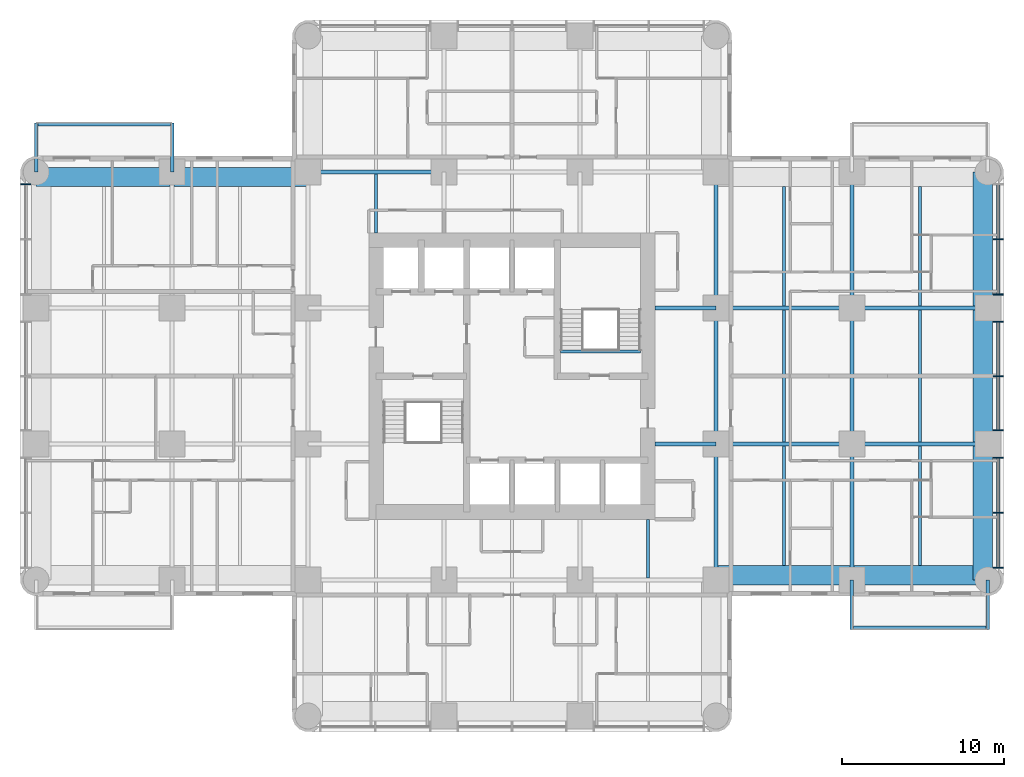
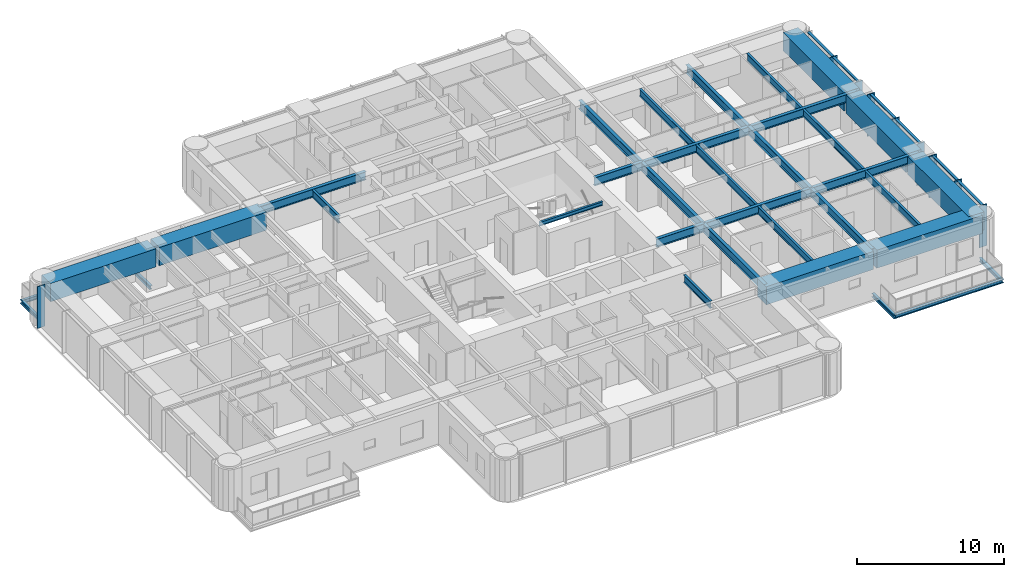
# One storey, part 3 of 15: 35 beams, 15 members, 2 elements without a shape of their own.
"""IFC4 building model written with IfcOpenShell, lengths in metres."""

from ifc_helpers import new_model, si_unit, direction, frame, origin, origin_2d, place, context, subcontext, project, spatial, rectangle, i_section, extrude, material, material_profile, profile_set, type_object, element, aggregate, save


model = new_model("IFC4")

# Units and contexts
model_context = context("Model", 3, precision=1e-05, world=origin(), true_north=direction((0.0, 1.0)))
body_context = subcontext(model_context, "Body", "Model", "MODEL_VIEW")
ifc_project = project(units=[si_unit("LENGTHUNIT", "METRE"), si_unit("AREAUNIT", "SQUARE_METRE"), si_unit("VOLUMEUNIT", "CUBIC_METRE"), si_unit("PLANEANGLEUNIT", "RADIAN"), si_unit("MASSUNIT", "GRAM", prefix="KILO")], contexts=[model_context])

# Site, building, storey
site_placement = place(None, origin())
site = spatial("IfcSite", under=ifc_project, at=site_placement, CompositionType="ELEMENT")
building_placement = place(site_placement, origin())
building = spatial("IfcBuilding", under=site, at=building_placement, Name="Torre Alcanfor", CompositionType="ELEMENT")
storey_placement = place(building_placement, frame((0.0, 0.0, 119.699951171875)))
storey = spatial("IfcBuildingStorey", under=building, at=storey_placement, Name="L30", CompositionType="ELEMENT", Elevation=119.699951171875)

# Beams
ifc_material_1 = material(Name="Steel ASTM A992 Grade 50", Category="steel")
ifc_material_profile_1 = material_profile(ifc_material_1, i_section(OverallWidth=0.205322265625, OverallDepth=0.309814453125, WebThickness=0.00927734375, FlangeThickness=0.016357421875, at=origin_2d()), Name="W12x50")
ifc_profile_set_1 = profile_set([ifc_material_profile_1], Name="Steel ASTM A992 Grade 50")
beam_type_1 = type_object("IfcBeamType", Name="Balcony cantilever beam W12x50", PredefinedType="BEAM", material=ifc_profile_set_1)
for number, where, z_axis, x_axis, name in (
    (1, (50.39990234375, 16.800048828125, -0.35498046875), (0.0, -1.0, 0.0), (1.0, 0.0, 0.0), "Balcony cantilever beam L30-E2 1"),
    (2, (58.800048828125, 16.800048828125, -0.35498046875), (0.0, -1.0, 0.0), (1.0, 0.0, 0.0), "Balcony cantilever beam L30-E2 2"),
    (3, (8.39990234375, 42.0, -0.35498046875), (0.0, 1.0, 0.0), (-1.0, 0.0, 0.0), "Balcony cantilever beam L30-W2 1"),
    (4, (0.0, 42.0, -0.35498046875), (0.0, 1.0, 0.0), (-1.0, 0.0, 0.0), "Balcony cantilever beam L30-W2 2"),
):
    element("IfcBeam", number, at=place(storey_placement, frame(where, z_axis=z_axis, x_axis=x_axis)), inside=storey, type_object=beam_type_1, Name=name, PredefinedType="BEAM", context=body_context, shape_type="SweptSolid", body=[
        extrude(i_section(OverallWidth=0.205322265625, OverallDepth=0.309814453125, WebThickness=0.00927734375, FlangeThickness=0.016357421875, at=origin_2d()), origin(), (0.0, 0.0, 1.0), 3.050048828125),
    ])
ifc_material_2 = material(Name="Steel ASTM A992 Grade 50", Category="steel")
ifc_material_profile_2 = material_profile(ifc_material_2, i_section(OverallWidth=0.203369140625, OverallDepth=0.30224609375, WebThickness=0.007568359375, FlangeThickness=0.01318359375, at=origin_2d()), Name="W12x40")
ifc_profile_set_2 = profile_set([ifc_material_profile_2], Name="Steel ASTM A992 Grade 50")
beam_type_2 = type_object("IfcBeamType", Name="Balcony edge trimmer W12x40", PredefinedType="BEAM", material=ifc_profile_set_2)
beam_1_placement = place(storey_placement, frame((50.39990234375, 13.851806640625, -0.35107421875), z_axis=(1.0, 0.0, 0.0), x_axis=(0.0, 1.0, 0.0)))
element("IfcBeam", 5, at=beam_1_placement, inside=storey, type_object=beam_type_2, Name="Balcony edge trimmer L30-E2", PredefinedType="BEAM", context=body_context, shape_type="SweptSolid", body=[
    extrude(i_section(OverallWidth=0.203369140625, OverallDepth=0.30224609375, WebThickness=0.007568359375, FlangeThickness=0.01318359375, at=origin_2d()), origin(), (0.0, 0.0, 1.0), 8.400146484375),
])
beam_2_placement = place(storey_placement, frame((8.39990234375, 44.9482421875, -0.35107421875), z_axis=(-1.0, 0.0, 0.0), x_axis=(0.0, -1.0, 0.0)))
element("IfcBeam", 6, at=beam_2_placement, inside=storey, type_object=beam_type_2, Name="Balcony edge trimmer L30-W2", PredefinedType="BEAM", context=body_context, shape_type="SweptSolid", body=[
    extrude(i_section(OverallWidth=0.203369140625, OverallDepth=0.30224609375, WebThickness=0.007568359375, FlangeThickness=0.01318359375, at=origin_2d()), origin(), (0.0, 0.0, 1.0), 8.39990234375),
])

# Curtain wall, member
ifc_material_3 = material(Name="Aluminium and glass", Category="aluminium")
curtain_wall_type = type_object("IfcCurtainWallType", Name="CW-A unitised apartment glazing with vertical FIN", PredefinedType="NOTDEFINED", material=ifc_material_3)
curtain_wall_1_placement = place(storey_placement, origin())
curtain_wall_1 = element("IfcCurtainWall", 7, at=curtain_wall_1_placement, inside=storey, type_object=curtain_wall_type, Name="Curtain wall CW-A L30 2", PredefinedType="NOTDEFINED")
ifc_material_4 = material(Name="Bronze anodised aluminium", Category="aluminium")
ifc_material_profile_3 = material_profile(ifc_material_4, rectangle(XDim=0.60009765625, YDim=0.06494140625, at=origin_2d()), Name="CW-A mullion 65x600")
ifc_profile_set_3 = profile_set([ifc_material_profile_3], Name="Bronze anodised aluminium")
member_type_1 = type_object("IfcMemberType", Name="CW-A mullion with vertical FIN 65x600", PredefinedType="MULLION", material=ifc_profile_set_3)
member_1_placement = place(storey_placement, frame((-0.64990234375, 41.24267578125, 0.0), z_axis=(0.0, 0.0, 1.0), x_axis=(1.0, 0.0, 0.0)))
member_1 = element("IfcMember", 8, at=member_1_placement, type_object=member_type_1, Name="CW-A mullion 1.1", PredefinedType="MULLION", context=body_context, shape_type="SweptSolid", body=[
    extrude(rectangle(XDim=0.60009765625, YDim=0.06494140625, at=origin_2d()), origin(), (0.0, 0.0, 1.0), 3.449951171875),
])
aggregate(curtain_wall_1, [member_1])

# Curtain wall, members
curtain_wall_2_placement = place(storey_placement, origin())
curtain_wall_2 = element("IfcCurtainWall", 9, at=curtain_wall_2_placement, inside=storey, type_object=curtain_wall_type, Name="Curtain wall CW-A L30 8", PredefinedType="NOTDEFINED")
member_2_placement = place(storey_placement, frame((59.449951171875, 17.557373046875, 0.0), z_axis=(0.0, 0.0, 1.0), x_axis=(-1.0, 0.0, 0.0)))
member_2 = element("IfcMember", 10, at=member_2_placement, type_object=member_type_1, Name="CW-A mullion 1.1", PredefinedType="MULLION", context=body_context, shape_type="SweptSolid", body=[
    extrude(rectangle(XDim=0.60009765625, YDim=0.06494140625, at=origin_2d()), origin(), (0.0, 0.0, 1.0), 3.449951171875),
])
member_3_placement = place(storey_placement, frame((59.449951171875, 20.9599609375, 0.0), z_axis=(0.0, 0.0, 1.0), x_axis=(-1.0, 0.0, 0.0)))
member_3 = element("IfcMember", 11, at=member_3_placement, type_object=member_type_1, Name="CW-A mullion 1.2", PredefinedType="MULLION", context=body_context, shape_type="SweptSolid", body=[
    extrude(rectangle(XDim=0.60009765625, YDim=0.06494140625, at=origin_2d()), origin(), (0.0, 0.0, 1.0), 3.449951171875),
])
member_4_placement = place(storey_placement, frame((59.449951171875, 24.362548828125, 0.0), z_axis=(0.0, 0.0, 1.0), x_axis=(-1.0, 0.0, 0.0)))
member_4 = element("IfcMember", 12, at=member_4_placement, type_object=member_type_1, Name="CW-A mullion 1.3", PredefinedType="MULLION", context=body_context, shape_type="SweptSolid", body=[
    extrude(rectangle(XDim=0.60009765625, YDim=0.06494140625, at=origin_2d()), origin(), (0.0, 0.0, 1.0), 3.449951171875),
])
member_5_placement = place(storey_placement, frame((59.449951171875, 26.03759765625, 0.0), z_axis=(0.0, 0.0, 1.0), x_axis=(-1.0, 0.0, 0.0)))
member_5 = element("IfcMember", 13, at=member_5_placement, type_object=member_type_1, Name="CW-A mullion 2.1", PredefinedType="MULLION", context=body_context, shape_type="SweptSolid", body=[
    extrude(rectangle(XDim=0.60009765625, YDim=0.06494140625, at=origin_2d()), origin(), (0.0, 0.0, 1.0), 3.449951171875),
])
member_6_placement = place(storey_placement, frame((59.449951171875, 29.39990234375, 0.0), z_axis=(0.0, 0.0, 1.0), x_axis=(-1.0, 0.0, 0.0)))
member_6 = element("IfcMember", 14, at=member_6_placement, type_object=member_type_1, Name="CW-A mullion 2.2", PredefinedType="MULLION", context=body_context, shape_type="SweptSolid", body=[
    extrude(rectangle(XDim=0.60009765625, YDim=0.06494140625, at=origin_2d()), origin(), (0.0, 0.0, 1.0), 3.449951171875),
])
member_7_placement = place(storey_placement, frame((59.449951171875, 32.762451171875, 0.0), z_axis=(0.0, 0.0, 1.0), x_axis=(-1.0, 0.0, 0.0)))
member_7 = element("IfcMember", 15, at=member_7_placement, type_object=member_type_1, Name="CW-A mullion 2.3", PredefinedType="MULLION", context=body_context, shape_type="SweptSolid", body=[
    extrude(rectangle(XDim=0.60009765625, YDim=0.06494140625, at=origin_2d()), origin(), (0.0, 0.0, 1.0), 3.449951171875),
])
member_8_placement = place(storey_placement, frame((59.449951171875, 34.4375, 0.0), z_axis=(0.0, 0.0, 1.0), x_axis=(-1.0, 0.0, 0.0)))
member_8 = element("IfcMember", 16, at=member_8_placement, type_object=member_type_1, Name="CW-A mullion 3.1", PredefinedType="MULLION", context=body_context, shape_type="SweptSolid", body=[
    extrude(rectangle(XDim=0.60009765625, YDim=0.06494140625, at=origin_2d()), origin(), (0.0, 0.0, 1.0), 3.449951171875),
])
member_9_placement = place(storey_placement, frame((59.449951171875, 37.840087890625, 0.0), z_axis=(0.0, 0.0, 1.0), x_axis=(-1.0, 0.0, 0.0)))
member_9 = element("IfcMember", 17, at=member_9_placement, type_object=member_type_1, Name="CW-A mullion 3.2", PredefinedType="MULLION", context=body_context, shape_type="SweptSolid", body=[
    extrude(rectangle(XDim=0.60009765625, YDim=0.06494140625, at=origin_2d()), origin(), (0.0, 0.0, 1.0), 3.449951171875),
])
ifc_material_5 = material(Name="Extruded aluminium", Category="aluminium")
ifc_material_profile_4 = material_profile(ifc_material_5, rectangle(XDim=0.199951171875, YDim=0.06494140625, at=origin_2d()), Name="CW-A transom 200x65")
ifc_profile_set_4 = profile_set([ifc_material_profile_4], Name="Extruded aluminium")
member_type_2 = type_object("IfcMemberType", Name="CW-A transom 65x200", PredefinedType="USERDEFINED", material=ifc_profile_set_4)
member_10_placement = place(storey_placement, frame((59.449951171875, 17.58984375, 3.41748046875), z_axis=(0.0, 1.0, 0.0), x_axis=(-1.0, 0.0, 0.0)))
member_10 = element("IfcMember", 18, at=member_10_placement, type_object=member_type_2, Name="CW-A transom 1.1.2", ObjectType="TRANSOM", PredefinedType="USERDEFINED", context=body_context, shape_type="SweptSolid", body=[
    extrude(rectangle(XDim=0.199951171875, YDim=0.06494140625, at=origin_2d()), origin(), (0.0, 0.0, 1.0), 3.337646484375),
])
member_11_placement = place(storey_placement, frame((59.449951171875, 20.992431640625, 3.41748046875), z_axis=(0.0, 1.0, 0.0), x_axis=(-1.0, 0.0, 0.0)))
member_11 = element("IfcMember", 19, at=member_11_placement, type_object=member_type_2, Name="CW-A transom 1.2.2", ObjectType="TRANSOM", PredefinedType="USERDEFINED", context=body_context, shape_type="SweptSolid", body=[
    extrude(rectangle(XDim=0.199951171875, YDim=0.06494140625, at=origin_2d()), origin(), (0.0, 0.0, 1.0), 3.337646484375),
])
member_12_placement = place(storey_placement, frame((59.449951171875, 26.070068359375, 3.41748046875), z_axis=(0.0, 1.0, 0.0), x_axis=(-1.0, 0.0, 0.0)))
member_12 = element("IfcMember", 20, at=member_12_placement, type_object=member_type_2, Name="CW-A transom 2.1.2", ObjectType="TRANSOM", PredefinedType="USERDEFINED", context=body_context, shape_type="SweptSolid", body=[
    extrude(rectangle(XDim=0.199951171875, YDim=0.06494140625, at=origin_2d()), origin(), (0.0, 0.0, 1.0), 3.29736328125),
])
member_13_placement = place(storey_placement, frame((59.449951171875, 29.4326171875, 3.41748046875), z_axis=(0.0, 1.0, 0.0), x_axis=(-1.0, 0.0, 0.0)))
member_13 = element("IfcMember", 21, at=member_13_placement, type_object=member_type_2, Name="CW-A transom 2.2.2", ObjectType="TRANSOM", PredefinedType="USERDEFINED", context=body_context, shape_type="SweptSolid", body=[
    extrude(rectangle(XDim=0.199951171875, YDim=0.06494140625, at=origin_2d()), origin(), (0.0, 0.0, 1.0), 3.29736328125),
])
member_14_placement = place(storey_placement, frame((59.449951171875, 34.469970703125, 3.41748046875), z_axis=(0.0, 1.0, 0.0), x_axis=(-1.0, 0.0, 0.0)))
member_14 = element("IfcMember", 22, at=member_14_placement, type_object=member_type_2, Name="CW-A transom 3.1.2", ObjectType="TRANSOM", PredefinedType="USERDEFINED", context=body_context, shape_type="SweptSolid", body=[
    extrude(rectangle(XDim=0.199951171875, YDim=0.06494140625, at=origin_2d()), origin(), (0.0, 0.0, 1.0), 3.337646484375),
])
member_15_placement = place(storey_placement, frame((59.449951171875, 37.87255859375, 3.41748046875), z_axis=(0.0, 1.0, 0.0), x_axis=(-1.0, 0.0, 0.0)))
member_15 = element("IfcMember", 23, at=member_15_placement, type_object=member_type_2, Name="CW-A transom 3.2.2", ObjectType="TRANSOM", PredefinedType="USERDEFINED", context=body_context, shape_type="SweptSolid", body=[
    extrude(rectangle(XDim=0.199951171875, YDim=0.06494140625, at=origin_2d()), origin(), (0.0, 0.0, 1.0), 3.337646484375),
])
aggregate(curtain_wall_2, [member_2, member_3, member_4, member_10, member_11, member_5, member_6, member_7, member_12, member_13, member_8, member_9, member_14, member_15])

# Beams
ifc_material_6 = material(Name="Steel ASTM A992 Grade 50", Category="steel")
ifc_material_profile_5 = material_profile(ifc_material_6, i_section(OverallWidth=0.25390625, OverallDepth=0.683349609375, WebThickness=0.012451171875, FlangeThickness=0.01904296875, at=origin_2d()), Name="W27x94")
ifc_profile_set_5 = profile_set([ifc_material_profile_5], Name="Steel ASTM A992 Grade 50")
beam_type_3 = type_object("IfcBeamType", Name="Girder W27x94", PredefinedType="BEAM", material=ifc_profile_set_5)
beam_3_placement = place(storey_placement, frame((42.0, 25.199951171875, 3.1083984375), z_axis=(1.0, 0.0, 0.0), x_axis=(0.0, 1.0, 0.0)))
element("IfcBeam", 24, at=beam_3_placement, inside=storey, type_object=beam_type_3, Name="Beam 6F-7F under L31", PredefinedType="BEAM", context=body_context, shape_type="SweptSolid", body=[
    extrude(i_section(OverallWidth=0.25390625, OverallDepth=0.683349609375, WebThickness=0.012451171875, FlangeThickness=0.01904296875, at=origin_2d()), origin(), (0.0, 0.0, 1.0), 8.39990234375),
])
beam_4_placement = place(storey_placement, frame((50.39990234375, 25.199951171875, 3.1083984375), z_axis=(1.0, 0.0, 0.0), x_axis=(0.0, 1.0, 0.0)))
element("IfcBeam", 25, at=beam_4_placement, inside=storey, type_object=beam_type_3, Name="Beam 7F-8F under L31", PredefinedType="BEAM", context=body_context, shape_type="SweptSolid", body=[
    extrude(i_section(OverallWidth=0.25390625, OverallDepth=0.683349609375, WebThickness=0.012451171875, FlangeThickness=0.01904296875, at=origin_2d()), origin(), (0.0, 0.0, 1.0), 8.400146484375),
])
beam_5_placement = place(storey_placement, frame((42.0, 33.60009765625, 3.1083984375), z_axis=(1.0, 0.0, 0.0), x_axis=(0.0, 1.0, 0.0)))
element("IfcBeam", 26, at=beam_5_placement, inside=storey, type_object=beam_type_3, Name="Beam 6G-7G under L31", PredefinedType="BEAM", context=body_context, shape_type="SweptSolid", body=[
    extrude(i_section(OverallWidth=0.25390625, OverallDepth=0.683349609375, WebThickness=0.012451171875, FlangeThickness=0.01904296875, at=origin_2d()), origin(), (0.0, 0.0, 1.0), 8.39990234375),
])
beam_6_placement = place(storey_placement, frame((50.39990234375, 33.60009765625, 3.1083984375), z_axis=(1.0, 0.0, 0.0), x_axis=(0.0, 1.0, 0.0)))
element("IfcBeam", 27, at=beam_6_placement, inside=storey, type_object=beam_type_3, Name="Beam 7G-8G under L31", PredefinedType="BEAM", context=body_context, shape_type="SweptSolid", body=[
    extrude(i_section(OverallWidth=0.25390625, OverallDepth=0.683349609375, WebThickness=0.012451171875, FlangeThickness=0.01904296875, at=origin_2d()), origin(), (0.0, 0.0, 1.0), 8.400146484375),
])
for number, where, z_axis, x_axis, name in (
    (28, (16.800048828125, 42.0, 3.1083984375), (1.0, 0.0, 0.0), (0.0, 1.0, 0.0), "Beam 3H-4H under L31"),
    (29, (42.0, 16.800048828125, 3.1083984375), (0.0, 1.0, 0.0), (-1.0, 0.0, 0.0), "Beam 6E-6F under L31"),
):
    element("IfcBeam", number, at=place(storey_placement, frame(where, z_axis=z_axis, x_axis=x_axis)), inside=storey, type_object=beam_type_3, Name=name, PredefinedType="BEAM", context=body_context, shape_type="SweptSolid", body=[
        extrude(i_section(OverallWidth=0.25390625, OverallDepth=0.683349609375, WebThickness=0.012451171875, FlangeThickness=0.01904296875, at=origin_2d()), origin(), (0.0, 0.0, 1.0), 8.39990234375),
    ])
beam_7_placement = place(storey_placement, frame((42.0, 25.199951171875, 3.1083984375), z_axis=(0.0, 1.0, 0.0), x_axis=(-1.0, 0.0, 0.0)))
element("IfcBeam", 30, at=beam_7_placement, inside=storey, type_object=beam_type_3, Name="Beam 6F-6G under L31", PredefinedType="BEAM", context=body_context, shape_type="SweptSolid", body=[
    extrude(i_section(OverallWidth=0.25390625, OverallDepth=0.683349609375, WebThickness=0.012451171875, FlangeThickness=0.01904296875, at=origin_2d()), origin(), (0.0, 0.0, 1.0), 8.400146484375),
])
for number, where, z_axis, x_axis, name in (
    (31, (42.0, 33.60009765625, 3.1083984375), (0.0, 1.0, 0.0), (-1.0, 0.0, 0.0), "Beam 6G-6H under L31"),
    (32, (50.39990234375, 16.800048828125, 3.1083984375), (0.0, 1.0, 0.0), (-1.0, 0.0, 0.0), "Beam 7E-7F under L31"),
):
    element("IfcBeam", number, at=place(storey_placement, frame(where, z_axis=z_axis, x_axis=x_axis)), inside=storey, type_object=beam_type_3, Name=name, PredefinedType="BEAM", context=body_context, shape_type="SweptSolid", body=[
        extrude(i_section(OverallWidth=0.25390625, OverallDepth=0.683349609375, WebThickness=0.012451171875, FlangeThickness=0.01904296875, at=origin_2d()), origin(), (0.0, 0.0, 1.0), 8.39990234375),
    ])
beam_8_placement = place(storey_placement, frame((50.39990234375, 25.199951171875, 3.1083984375), z_axis=(0.0, 1.0, 0.0), x_axis=(-1.0, 0.0, 0.0)))
element("IfcBeam", 33, at=beam_8_placement, inside=storey, type_object=beam_type_3, Name="Beam 7F-7G under L31", PredefinedType="BEAM", context=body_context, shape_type="SweptSolid", body=[
    extrude(i_section(OverallWidth=0.25390625, OverallDepth=0.683349609375, WebThickness=0.012451171875, FlangeThickness=0.01904296875, at=origin_2d()), origin(), (0.0, 0.0, 1.0), 8.400146484375),
])
beam_9_placement = place(storey_placement, frame((50.39990234375, 33.60009765625, 3.1083984375), z_axis=(0.0, 1.0, 0.0), x_axis=(-1.0, 0.0, 0.0)))
element("IfcBeam", 34, at=beam_9_placement, inside=storey, type_object=beam_type_3, Name="Beam 7G-7H under L31", PredefinedType="BEAM", context=body_context, shape_type="SweptSolid", body=[
    extrude(i_section(OverallWidth=0.25390625, OverallDepth=0.683349609375, WebThickness=0.012451171875, FlangeThickness=0.01904296875, at=origin_2d()), origin(), (0.0, 0.0, 1.0), 8.39990234375),
])
ifc_material_7 = material(Name="Steel ASTM A992 Grade 50", Category="steel")
ifc_material_profile_6 = material_profile(ifc_material_7, i_section(OverallWidth=0.25390625, OverallDepth=0.683349609375, WebThickness=0.012451171875, FlangeThickness=0.01904296875, at=origin_2d()), Name="W27x94")
ifc_profile_set_6 = profile_set([ifc_material_profile_6], Name="Steel ASTM A992 Grade 50")
beam_type_4 = type_object("IfcBeamType", Name="Girder, part bay W27x94", PredefinedType="BEAM", material=ifc_profile_set_6)
for number, where, z_axis, x_axis, name in (
    (35, (42.0, 25.199951171875, 3.1083984375), (-1.0, 0.0, 0.0), (0.0, -1.0, 0.0), "Beam 6F-38_25F under L31"),
    (36, (42.0, 33.60009765625, 3.1083984375), (-1.0, 0.0, 0.0), (0.0, -1.0, 0.0), "Beam 6G-38_25G under L31"),
):
    element("IfcBeam", number, at=place(storey_placement, frame(where, z_axis=z_axis, x_axis=x_axis)), inside=storey, type_object=beam_type_4, Name=name, PredefinedType="BEAM", context=body_context, shape_type="SweptSolid", body=[
        extrude(i_section(OverallWidth=0.25390625, OverallDepth=0.683349609375, WebThickness=0.012451171875, FlangeThickness=0.01904296875, at=origin_2d()), origin(), (0.0, 0.0, 1.0), 3.75),
    ])
ifc_material_8 = material(Name="Concrete f'c 70 MPa", Category="concrete")
ifc_material_profile_7 = material_profile(ifc_material_8, rectangle(XDim=1.199951171875, YDim=1.5, at=origin_2d()), Name="1200x1500")
ifc_profile_set_7 = profile_set([ifc_material_profile_7], Name="Concrete f'c 70 MPa")
beam_type_5 = type_object("IfcBeamType", Name="RC perimeter beam 1200x1500", PredefinedType="BEAM", material=ifc_profile_set_7)
beam_10_placement = place(storey_placement, frame((41.873046875, 17.10009765625, 2.699951171875), z_axis=(1.0, 0.0, 0.0), x_axis=(0.0, 1.0, 0.0)))
element("IfcBeam", 37, at=beam_10_placement, inside=storey, type_object=beam_type_5, Name="Beam 6E-7E under L31", PredefinedType="BEAM", context=body_context, shape_type="SweptSolid", body=[
    extrude(rectangle(XDim=1.199951171875, YDim=1.5, at=origin_2d()), origin(), (0.0, 0.0, 1.0), 8.39990234375),
])
for number, where, z_axis, x_axis, name in (
    (38, (50.527099609375, 17.10009765625, 2.699951171875), (1.0, 0.0, 0.0), (0.0, 1.0, 0.0), "Beam 7E-8E under L31"),
    (39, (0.0, 41.699951171875, 2.699951171875), (1.0, 0.0, 0.0), (0.0, 1.0, 0.0), "Beam 1H-2H under L31"),
):
    element("IfcBeam", number, at=place(storey_placement, frame(where, z_axis=z_axis, x_axis=x_axis)), inside=storey, type_object=beam_type_5, Name=name, PredefinedType="BEAM", context=body_context, shape_type="SweptSolid", body=[
        extrude(rectangle(XDim=1.199951171875, YDim=1.5, at=origin_2d()), origin(), (0.0, 0.0, 1.0), 8.27294921875),
    ])
beam_11_placement = place(storey_placement, frame((8.527099609375, 41.699951171875, 2.699951171875), z_axis=(1.0, 0.0, 0.0), x_axis=(0.0, 1.0, 0.0)))
element("IfcBeam", 40, at=beam_11_placement, inside=storey, type_object=beam_type_5, Name="Beam 2H-3H under L31", PredefinedType="BEAM", context=body_context, shape_type="SweptSolid", body=[
    extrude(rectangle(XDim=1.199951171875, YDim=1.5, at=origin_2d()), origin(), (0.0, 0.0, 1.0), 8.39990234375),
])
beam_12_placement = place(storey_placement, frame((58.5, 16.800048828125, 2.699951171875), z_axis=(0.0, 1.0, 0.0), x_axis=(-1.0, 0.0, 0.0)))
element("IfcBeam", 41, at=beam_12_placement, inside=storey, type_object=beam_type_5, Name="Beam 8E-8F under L31", PredefinedType="BEAM", context=body_context, shape_type="SweptSolid", body=[
    extrude(rectangle(XDim=1.199951171875, YDim=1.5, at=origin_2d()), origin(), (0.0, 0.0, 1.0), 8.27294921875),
])
beam_13_placement = place(storey_placement, frame((58.5, 25.326904296875, 2.699951171875), z_axis=(0.0, 1.0, 0.0), x_axis=(-1.0, 0.0, 0.0)))
element("IfcBeam", 42, at=beam_13_placement, inside=storey, type_object=beam_type_5, Name="Beam 8F-8G under L31", PredefinedType="BEAM", context=body_context, shape_type="SweptSolid", body=[
    extrude(rectangle(XDim=1.199951171875, YDim=1.5, at=origin_2d()), origin(), (0.0, 0.0, 1.0), 8.14599609375),
])
beam_14_placement = place(storey_placement, frame((58.5, 33.72705078125, 2.699951171875), z_axis=(0.0, 1.0, 0.0), x_axis=(-1.0, 0.0, 0.0)))
element("IfcBeam", 43, at=beam_14_placement, inside=storey, type_object=beam_type_5, Name="Beam 8G-8H under L31", PredefinedType="BEAM", context=body_context, shape_type="SweptSolid", body=[
    extrude(rectangle(XDim=1.199951171875, YDim=1.5, at=origin_2d()), origin(), (0.0, 0.0, 1.0), 8.27294921875),
])
ifc_material_9 = material(Name="Steel ASTM A992 Grade 50", Category="steel")
ifc_material_profile_8 = material_profile(ifc_material_9, i_section(OverallWidth=0.1787109375, OverallDepth=0.60205078125, WebThickness=0.010986328125, FlangeThickness=0.014892578125, at=origin_2d()), Name="W24x62")
ifc_profile_set_8 = profile_set([ifc_material_profile_8], Name="Steel ASTM A992 Grade 50")
beam_type_6 = type_object("IfcBeamType", Name="Secondary beam W24x62", PredefinedType="BEAM", material=ifc_profile_set_8)
beam_15_placement = place(storey_placement, frame((46.199951171875, 17.699951171875, 3.149169921875), z_axis=(0.0, 1.0, 0.0), x_axis=(-1.0, 0.0, 0.0)))
element("IfcBeam", 44, at=beam_15_placement, inside=storey, type_object=beam_type_6, Name="Beam 46_2E-46_2F under L31", PredefinedType="BEAM", context=body_context, shape_type="SweptSolid", body=[
    extrude(i_section(OverallWidth=0.1787109375, OverallDepth=0.60205078125, WebThickness=0.010986328125, FlangeThickness=0.014892578125, at=origin_2d()), origin(), (0.0, 0.0, 1.0), 7.373046875),
])
beam_16_placement = place(storey_placement, frame((46.199951171875, 25.326904296875, 3.149169921875), z_axis=(0.0, 1.0, 0.0), x_axis=(-1.0, 0.0, 0.0)))
element("IfcBeam", 45, at=beam_16_placement, inside=storey, type_object=beam_type_6, Name="Beam 46_2F-46_2G under L31", PredefinedType="BEAM", context=body_context, shape_type="SweptSolid", body=[
    extrude(i_section(OverallWidth=0.1787109375, OverallDepth=0.60205078125, WebThickness=0.010986328125, FlangeThickness=0.014892578125, at=origin_2d()), origin(), (0.0, 0.0, 1.0), 8.14599609375),
])
for number, where, z_axis, x_axis, name in (
    (46, (46.199951171875, 33.72705078125, 3.149169921875), (0.0, 1.0, 0.0), (-1.0, 0.0, 0.0), "Beam 46_2G-46_2H under L31"),
    (47, (54.60009765625, 17.699951171875, 3.149169921875), (0.0, 1.0, 0.0), (-1.0, 0.0, 0.0), "Beam 54_6E-54_6F under L31"),
):
    element("IfcBeam", number, at=place(storey_placement, frame(where, z_axis=z_axis, x_axis=x_axis)), inside=storey, type_object=beam_type_6, Name=name, PredefinedType="BEAM", context=body_context, shape_type="SweptSolid", body=[
        extrude(i_section(OverallWidth=0.1787109375, OverallDepth=0.60205078125, WebThickness=0.010986328125, FlangeThickness=0.014892578125, at=origin_2d()), origin(), (0.0, 0.0, 1.0), 7.373046875),
    ])
beam_17_placement = place(storey_placement, frame((54.60009765625, 25.326904296875, 3.149169921875), z_axis=(0.0, 1.0, 0.0), x_axis=(-1.0, 0.0, 0.0)))
element("IfcBeam", 48, at=beam_17_placement, inside=storey, type_object=beam_type_6, Name="Beam 54_6F-54_6G under L31", PredefinedType="BEAM", context=body_context, shape_type="SweptSolid", body=[
    extrude(i_section(OverallWidth=0.1787109375, OverallDepth=0.60205078125, WebThickness=0.010986328125, FlangeThickness=0.014892578125, at=origin_2d()), origin(), (0.0, 0.0, 1.0), 8.14599609375),
])
beam_18_placement = place(storey_placement, frame((54.60009765625, 33.72705078125, 3.149169921875), z_axis=(0.0, 1.0, 0.0), x_axis=(-1.0, 0.0, 0.0)))
element("IfcBeam", 49, at=beam_18_placement, inside=storey, type_object=beam_type_6, Name="Beam 54_6G-54_6H under L31", PredefinedType="BEAM", context=body_context, shape_type="SweptSolid", body=[
    extrude(i_section(OverallWidth=0.1787109375, OverallDepth=0.60205078125, WebThickness=0.010986328125, FlangeThickness=0.014892578125, at=origin_2d()), origin(), (0.0, 0.0, 1.0), 7.373046875),
])
ifc_material_10 = material(Name="Steel ASTM A992 Grade 50", Category="steel")
ifc_material_profile_9 = material_profile(ifc_material_10, i_section(OverallWidth=0.1787109375, OverallDepth=0.60205078125, WebThickness=0.010986328125, FlangeThickness=0.014892578125, at=origin_2d()), Name="W24x62")
ifc_profile_set_9 = profile_set([ifc_material_profile_9], Name="Steel ASTM A992 Grade 50")
beam_type_7 = type_object("IfcBeamType", Name="Secondary beam, part bay W24x62", PredefinedType="BEAM", material=ifc_profile_set_9)
for number, where, z_axis, x_axis, name in (
    (50, (21.0, 38.25, 3.149169921875), (0.0, 1.0, 0.0), (-1.0, 0.0, 0.0), "Beam 2138_25-21H under L31"),
    (51, (37.800048828125, 16.927001953125, 3.149169921875), (0.0, 1.0, 0.0), (-1.0, 0.0, 0.0), "Beam 37_8E-37_820_55 under L31"),
):
    element("IfcBeam", number, at=place(storey_placement, frame(where, z_axis=z_axis, x_axis=x_axis)), inside=storey, type_object=beam_type_7, Name=name, PredefinedType="BEAM", context=body_context, shape_type="SweptSolid", body=[
        extrude(i_section(OverallWidth=0.1787109375, OverallDepth=0.60205078125, WebThickness=0.010986328125, FlangeThickness=0.014892578125, at=origin_2d()), origin(), (0.0, 0.0, 1.0), 3.623046875),
    ])
ifc_material_11 = material(Name="Steel ASTM A992 Grade 50", Category="steel")
ifc_material_profile_10 = material_profile(ifc_material_11, i_section(OverallWidth=0.164794921875, OverallDepth=0.309814453125, WebThickness=0.005859375, FlangeThickness=0.009765625, at=origin_2d()), Name="W12x26")
ifc_profile_set_10 = profile_set([ifc_material_profile_10], Name="Steel ASTM A992 Grade 50")
beam_type_8 = type_object("IfcBeamType", Name="Stair landing beam W12x26", PredefinedType="BEAM", material=ifc_profile_set_10)
beam_19_placement = place(storey_placement, frame((32.39990234375, 30.91259765625, 3.2451171875), z_axis=(1.0, 0.0, 0.0), x_axis=(0.0, 1.0, 0.0)))
element("IfcBeam", 52, at=beam_19_placement, inside=storey, type_object=beam_type_8, Name="Landing trimmer S2 L31", PredefinedType="BEAM", context=body_context, shape_type="SweptSolid", body=[
    extrude(i_section(OverallWidth=0.164794921875, OverallDepth=0.309814453125, WebThickness=0.005859375, FlangeThickness=0.009765625, at=origin_2d()), origin(), (0.0, 0.0, 1.0), 4.9501953125),
])

save(model, "model.ifc")
